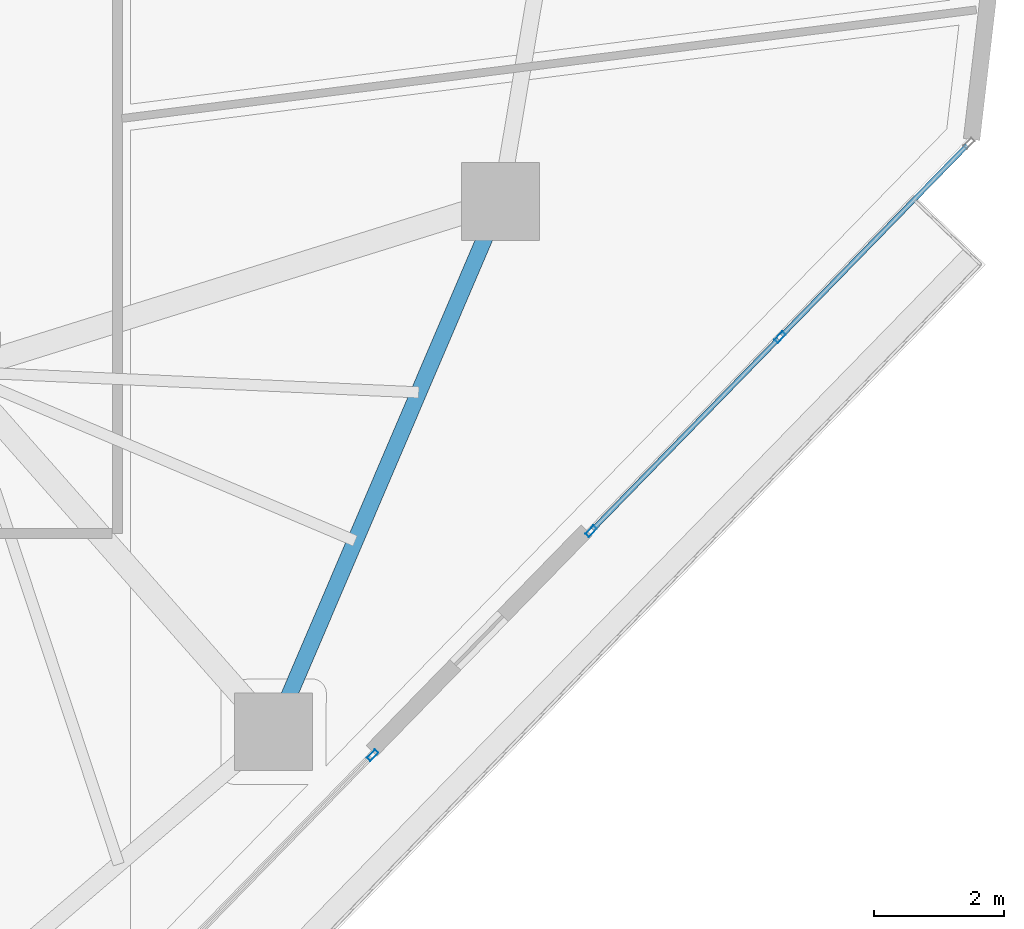
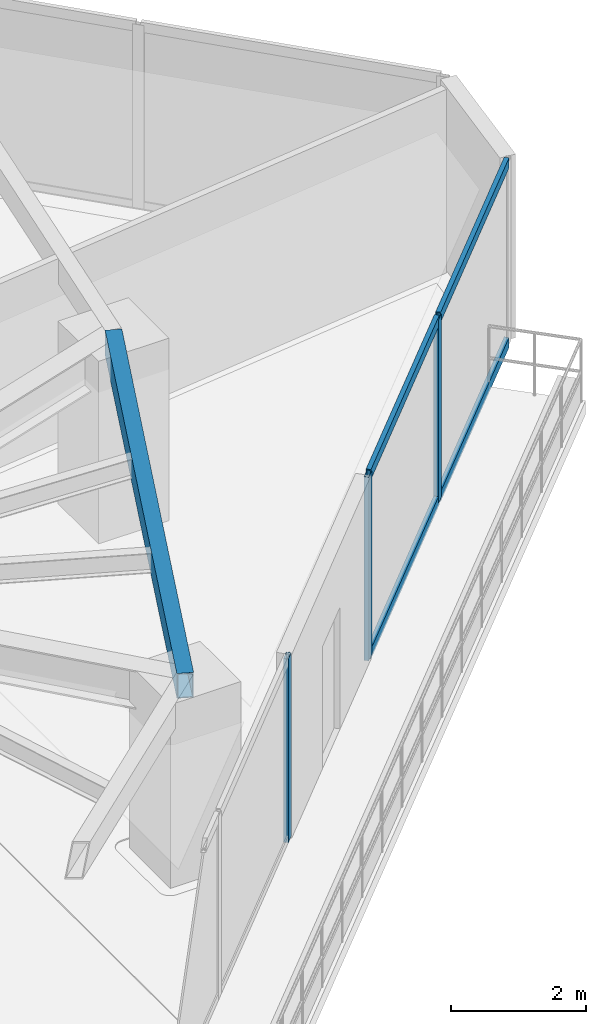
# One storey, part 12 of 23: 7 members, 1 beam, 2 elements without a shape of their own.
"""IFC4 building model written with IfcOpenShell, lengths in metres."""

from ifc_helpers import new_model, si_unit, direction, frame, origin, origin_2d, place, context, subcontext, project, spatial, hollow_rectangle, extrude, source, transform, mapped, material, layer, layer_set, material_profile, profile_set, type_object, type_shapes, element, aggregate, save


model = new_model("IFC4")

# Units and contexts
model_context = context("Model", 3, precision=1e-05, world=origin(), true_north=direction((0.0, 1.0)))
body_context = subcontext(model_context, "Body", "Model", "MODEL_VIEW")
ifc_project = project(units=[si_unit("LENGTHUNIT", "METRE"), si_unit("AREAUNIT", "SQUARE_METRE"), si_unit("VOLUMEUNIT", "CUBIC_METRE"), si_unit("PLANEANGLEUNIT", "RADIAN"), si_unit("MASSUNIT", "GRAM", prefix="KILO")], contexts=[model_context])

# Site, building, storey
site_placement = place(None, origin())
site = spatial("IfcSite", under=ifc_project, at=site_placement, CompositionType="ELEMENT")
building_placement = place(site_placement, origin())
building = spatial("IfcBuilding", under=site, at=building_placement, Name="Talar Marvaseh", CompositionType="ELEMENT")
storey_placement = place(building_placement, frame((0.0, 0.0, 96.60009765625)))
storey = spatial("IfcBuildingStorey", under=building, at=storey_placement, Name="L24", CompositionType="ELEMENT", Elevation=96.60009765625)

# Beam
ifc_material_1 = material(Name="Steel S355", Category="steel")
ifc_material_profile_1 = material_profile(ifc_material_1, hollow_rectangle(XDim=0.25, YDim=0.449951171875, WallThickness=0.01611328125, at=origin_2d()), Name="RHS450x250x16")
ifc_profile_set_1 = profile_set([ifc_material_profile_1], Name="Steel S355")
beam_type = type_object("IfcBeamType", Name="Zone 2 Perimeter Spandrel Beam RHS450x250x16", PredefinedType="SPANDREL", material=ifc_profile_set_1)
beam_placement = place(storey_placement, frame((41.708984375, 28.1279296875, 3.0849609375), z_axis=(-0.393369955619, -0.919380268451, 0.0), x_axis=(0.919380268451, -0.393369955619, 0.0)))
element("IfcBeam", 1, at=beam_placement, inside=storey, type_object=beam_type, Name="L24 Zone 2 Perimeter Spandrel Beam RHS450x250x16", PredefinedType="SPANDREL", context=body_context, shape_type="SweptSolid", body=[
    extrude(hollow_rectangle(XDim=0.25, YDim=0.449951171875, WallThickness=0.01611328125, at=origin_2d()), origin(), (0.0, 0.0, 1.0), 8.905029296875),
])

# Curtain wall, members
ifc_material_2 = material(Name="Architectural Aluminium", Category="aluminium")
ifc_layer = layer(ifc_material_2, 0.199951171875)
ifc_layer_set = layer_set([ifc_layer], Name="Architectural Aluminium")
curtain_wall_type = type_object("IfcCurtainWallType", Name="Unitised Acoustic Library Curtain Wall Z2", PredefinedType="NOTDEFINED", material=ifc_layer_set)
curtain_wall_1_placement = place(storey_placement, origin())
curtain_wall_1 = element("IfcCurtainWall", 2, at=curtain_wall_1_placement, inside=storey, type_object=curtain_wall_type, Name="L24 Unitised Acoustic Library Curtain Wall Z2", PredefinedType="NOTDEFINED")
ifc_material_profile_2 = material_profile(ifc_material_2, hollow_rectangle(XDim=0.074951171875, YDim=0.179931640625, WallThickness=0.0048828125, at=origin_2d()), Name="RHS180x75x5")
ifc_profile_set_2 = profile_set([ifc_material_profile_2], Name="Architectural Aluminium")
member_type_1 = type_object("IfcMemberType", Name="Unitised Curtain Wall Standard Mullion RHS180x75x5", PredefinedType="MULLION", material=ifc_profile_set_2)
shared_shape_1 = source(origin(), body_context, "Body", "SweptSolid", [
    extrude(hollow_rectangle(XDim=0.074951171875, YDim=0.179931640625, WallThickness=0.0048828125, at=origin_2d()), origin(), (0.0, 0.0, 1.0), 3.309814453125),
])
type_shapes(member_type_1, [shared_shape_1])
member_1_placement = place(storey_placement, frame((46.02392578125, 26.0302734375, 0.0), z_axis=(0.0, 0.0, 1.0), x_axis=(0.716198424478, -0.697896709245, 0.0)))
member_1 = element("IfcMember", 3, at=member_1_placement, type_object=member_type_1, Name="CW-Z2 mullion 2", PredefinedType="MULLION", context=body_context, shape_type="MappedRepresentation", body=[
    mapped(shared_shape_1, transform((0.0, 0.0, 0.0), x_axis=(1.0, 0.0, 0.0), y_axis=(0.0, 1.0, 0.0), z_axis=(0.0, 0.0, 1.0), scale=1.0)),
])
member_2_placement = place(storey_placement, frame((43.108154296875, 23.0380859375, 0.0), z_axis=(0.0, 0.0, 1.0), x_axis=(0.716198424478, -0.697896709245, 0.0)))
member_2 = element("IfcMember", 4, at=member_2_placement, type_object=member_type_1, Name="CW-Z2 mullion 3", PredefinedType="MULLION", context=body_context, shape_type="MappedRepresentation", body=[
    mapped(shared_shape_1, transform((0.0, 0.0, 0.0), x_axis=(1.0, 0.0, 0.0), y_axis=(0.0, 1.0, 0.0), z_axis=(0.0, 0.0, 1.0), scale=1.0)),
])

# Curtain wall, member
curtain_wall_2_placement = place(storey_placement, origin())
curtain_wall_2 = element("IfcCurtainWall", 5, at=curtain_wall_2_placement, inside=storey, type_object=curtain_wall_type, Name="L24 Unitised Acoustic Library Curtain Wall Z2", PredefinedType="NOTDEFINED")
member_3_placement = place(storey_placement, frame((39.736572265625, 19.578125, 0.0), z_axis=(0.0, 0.0, 1.0), x_axis=(0.716198424478, -0.697896709245, 0.0)))
member_3 = element("IfcMember", 6, at=member_3_placement, type_object=member_type_1, Name="CW-Z2 mullion 1", PredefinedType="MULLION", context=body_context, shape_type="MappedRepresentation", body=[
    mapped(shared_shape_1, transform((0.0, 0.0, 0.0), x_axis=(1.0, 0.0, 0.0), y_axis=(0.0, 1.0, 0.0), z_axis=(0.0, 0.0, 1.0), scale=1.0)),
])
aggregate(curtain_wall_2, [member_3])

# Member
ifc_material_profile_3 = material_profile(ifc_material_2, hollow_rectangle(XDim=0.074951171875, YDim=0.179931640625, WallThickness=0.0048828125, at=origin_2d()), Name="RHS180x75x5")
ifc_profile_set_3 = profile_set([ifc_material_profile_3], Name="Architectural Aluminium")
member_type_2 = type_object("IfcMemberType", Name="Unitised Curtain Wall Transom RHS180x75x5", PredefinedType="USERDEFINED", material=ifc_profile_set_3)
shared_shape_2 = source(origin(), body_context, "Body", "SweptSolid", [
    extrude(hollow_rectangle(XDim=0.074951171875, YDim=0.179931640625, WallThickness=0.0048828125, at=origin_2d()), origin(), (0.0, 0.0, 1.0), 4.10302734375),
])
member_4_placement = place(storey_placement, frame((48.91357421875, 28.99560546875, 0.037353515625), z_axis=(-0.697914033713, -0.716181542311, 0.0), x_axis=(0.716181542311, -0.697914033713, 0.0)))
member_4 = element("IfcMember", 7, at=member_4_placement, type_object=member_type_2, Name="CW-Z2 transom 1.1", ObjectType="TRANSOM", PredefinedType="USERDEFINED", context=body_context, shape_type="MappedRepresentation", body=[
    mapped(shared_shape_2, transform((0.0, 0.0, 0.0), x_axis=(1.0, 0.0, 0.0), y_axis=(0.0, 1.0, 0.0), z_axis=(0.0, 0.0, 1.0), scale=1.0)),
])

member_5_placement = place(storey_placement, frame((48.91357421875, 28.99560546875, 3.2724609375), z_axis=(-0.697914033713, -0.716181542311, 0.0), x_axis=(0.716181542311, -0.697914033713, 0.0)))
member_5 = element("IfcMember", 8, at=member_5_placement, type_object=member_type_2, Name="CW-Z2 transom 1.2", ObjectType="TRANSOM", PredefinedType="USERDEFINED", context=body_context, shape_type="MappedRepresentation", body=[
    mapped(shared_shape_2, transform((0.0, 0.0, 0.0), x_axis=(1.0, 0.0, 0.0), y_axis=(0.0, 1.0, 0.0), z_axis=(0.0, 0.0, 1.0), scale=1.0)),
])

shared_shape_3 = source(origin(), body_context, "Body", "SweptSolid", [
    extrude(hollow_rectangle(XDim=0.074951171875, YDim=0.179931640625, WallThickness=0.0048828125, at=origin_2d()), origin(), (0.0, 0.0, 1.0), 4.102783203125),
])
type_shapes(member_type_2, [shared_shape_2, shared_shape_3])
member_6_placement = place(storey_placement, frame((45.99755859375, 26.00341796875, 0.037353515625), z_axis=(-0.697883511624, -0.71621128461, 0.0), x_axis=(0.71621128461, -0.697883511624, 0.0)))
member_6 = element("IfcMember", 9, at=member_6_placement, type_object=member_type_2, Name="CW-Z2 transom 2.1", ObjectType="TRANSOM", PredefinedType="USERDEFINED", context=body_context, shape_type="MappedRepresentation", body=[
    mapped(shared_shape_3, transform((0.0, 0.0, 0.0), x_axis=(1.0, 0.0, 0.0), y_axis=(0.0, 1.0, 0.0), z_axis=(0.0, 0.0, 1.0), scale=1.0)),
])

member_7_placement = place(storey_placement, frame((45.99755859375, 26.00341796875, 3.2724609375), z_axis=(-0.697883511624, -0.71621128461, 0.0), x_axis=(0.71621128461, -0.697883511624, 0.0)))
member_7 = element("IfcMember", 10, at=member_7_placement, type_object=member_type_2, Name="CW-Z2 transom 2.2", ObjectType="TRANSOM", PredefinedType="USERDEFINED", context=body_context, shape_type="MappedRepresentation", body=[
    mapped(shared_shape_3, transform((0.0, 0.0, 0.0), x_axis=(1.0, 0.0, 0.0), y_axis=(0.0, 1.0, 0.0), z_axis=(0.0, 0.0, 1.0), scale=1.0)),
])

aggregate(curtain_wall_1, [member_1, member_2, member_4, member_5, member_6, member_7])

save(model, "model.ifc")
